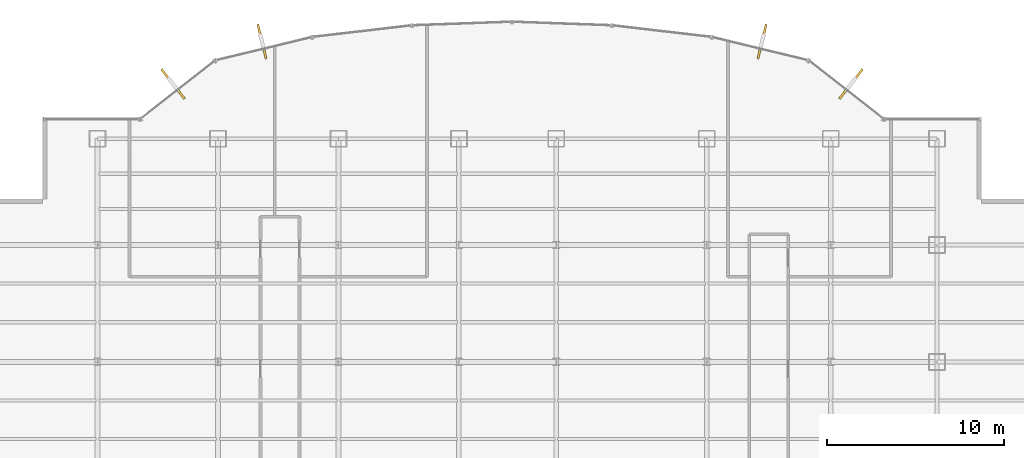
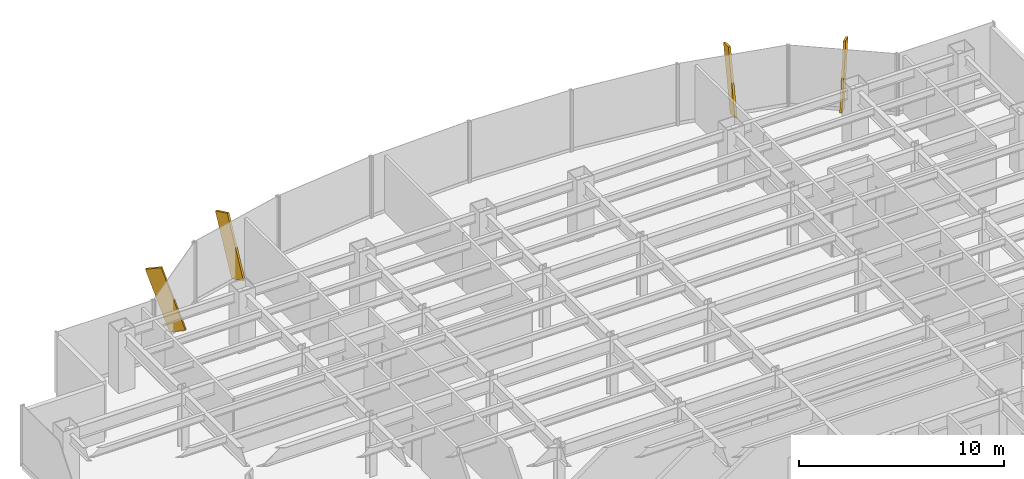
# One storey, part 21 of 22: 4 shading devices.
"""IFC4 building model written with IfcOpenShell, lengths in metres."""

from ifc_helpers import new_model, si_unit, derived_unit, direction, frame, origin, origin_2d, place, context, subcontext, project, spatial, rectangle, extrude, source, transform, mapped, material, type_object, element, save


model = new_model("IFC4")

# Units and contexts
model_context = context("Model", 3, precision=1e-05, world=origin(), true_north=direction((0.0, 1.0)))
body_context = subcontext(model_context, "Body", "Model", "MODEL_VIEW")
ifc_project = project(units=[si_unit("LENGTHUNIT", "METRE"), si_unit("AREAUNIT", "SQUARE_METRE"), si_unit("VOLUMEUNIT", "CUBIC_METRE"), si_unit("PLANEANGLEUNIT", "RADIAN"), si_unit("MASSUNIT", "GRAM", prefix="KILO"), derived_unit("THERMALTRANSMITTANCEUNIT", [(si_unit("POWERUNIT", "WATT"), 1), (si_unit("LENGTHUNIT", "METRE"), -2), (si_unit("THERMODYNAMICTEMPERATUREUNIT", "KELVIN"), -1)])], contexts=[model_context])

# Site, building, storey
site_placement = place(None, origin())
site = spatial("IfcSite", under=ifc_project, at=site_placement, CompositionType="ELEMENT")
building_placement = place(site_placement, origin())
building = spatial("IfcBuilding", under=site, at=building_placement, Name="Skarnbrae Concourse Arena and Tower", CompositionType="ELEMENT")
storey_placement = place(building_placement, frame((0.0, 0.0, 58.050048828125)))
storey = spatial("IfcBuildingStorey", under=building, at=storey_placement, Name="L13", CompositionType="ELEMENT", Elevation=58.050048828125)

# Shading devices
ifc_material = material(Name="Bronze anodised aluminium 6063-T6", Category="aluminium")
shading_device_type = type_object("IfcShadingDeviceType", Name="SHD-BRONZE-FIN-900", PredefinedType="USERDEFINED", material=ifc_material)
shared_shape = source(origin(), body_context, "Body", "SweptSolid", [
    extrude(rectangle(XDim=0.1201171875, YDim=0.89990234375, at=origin_2d()), origin(), (0.0, 0.0, 1.0), 3.64990234375),
])
for number, where, z_axis, x_axis, name in (
    (1, (49.74755859375, 42.982666015625, 0.115966796875), (0.216070241151, 0.276229215195, 0.936488692704), (0.787656027369, -0.616115234797, 0.0), "L13 Outward-leaning bronze shading fin 08"),
    (2, (44.983154296875, 45.326416015625, 0.092529296875), (0.073933727823, 0.305675430725, 0.949260941439), (0.971973311258, -0.235091221021, 0.0), "L13 Outward-leaning bronze shading fin 09"),
    (3, (17.016845703125, 45.326416015625, 0.092529296875), (-0.073933727823, 0.305675430725, 0.949260941439), (0.971973311258, 0.235091221021, 0.0), "L13 Outward-leaning bronze shading fin 14"),
    (4, (12.25244140625, 42.982666015625, 0.115966796875), (-0.216070241151, 0.276229215195, 0.936488692704), (0.787656027369, 0.616115234797, 0.0), "L13 Outward-leaning bronze shading fin 15"),
):
    element("IfcShadingDevice", number, at=place(storey_placement, frame(where, z_axis=z_axis, x_axis=x_axis)), inside=storey, type_object=shading_device_type, Name=name, ObjectType="FIN", PredefinedType="USERDEFINED", context=body_context, shape_type="MappedRepresentation", body=[
        mapped(shared_shape, transform((0.0, 0.0, 0.0))),
    ])

save(model, "model.ifc")
